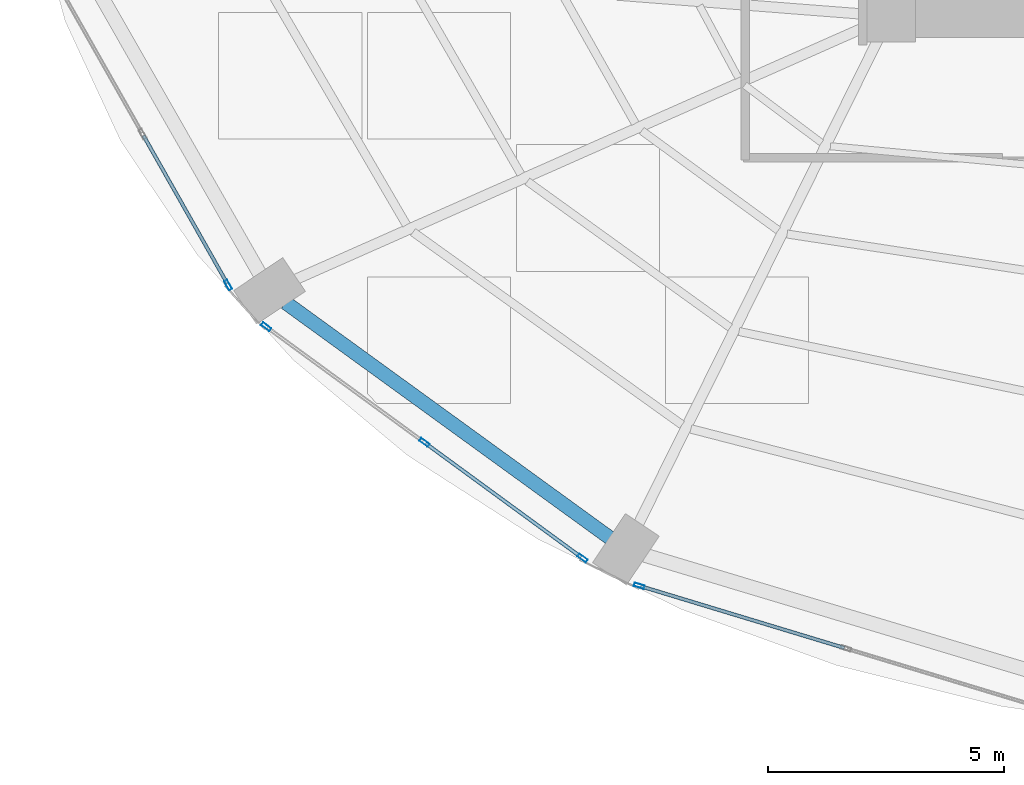
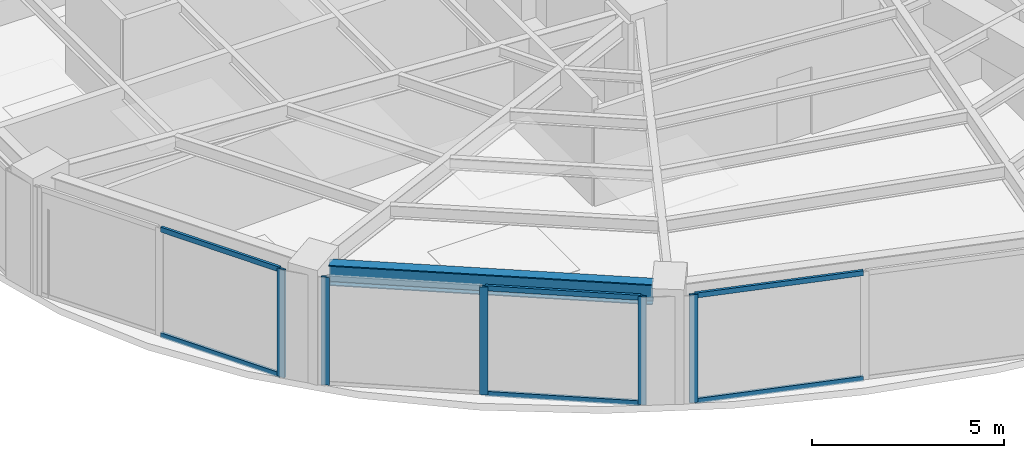
# One storey, part 2 of 24: 11 members, 1 beam, 3 elements without a shape of their own.
"""IFC4 building model written with IfcOpenShell, lengths in metres."""

from ifc_helpers import new_model, si_unit, direction, frame, origin, origin_2d, place, context, subcontext, project, spatial, hollow_rectangle, i_section, extrude, material, layer, layer_set, material_profile, profile_set, type_object, element, aggregate, save


model = new_model("IFC4")

# Units and contexts
model_context = context("Model", 3, precision=1e-05, world=origin(), true_north=direction((0.0, 1.0)))
body_context = subcontext(model_context, "Body", "Model", "MODEL_VIEW")
ifc_project = project(units=[si_unit("LENGTHUNIT", "METRE"), si_unit("AREAUNIT", "SQUARE_METRE"), si_unit("VOLUMEUNIT", "CUBIC_METRE"), si_unit("PLANEANGLEUNIT", "RADIAN"), si_unit("MASSUNIT", "GRAM", prefix="KILO")], contexts=[model_context])

# Site, building, storey
site_placement = place(None, origin())
site = spatial("IfcSite", under=ifc_project, at=site_placement, CompositionType="ELEMENT")
building_placement = place(site_placement, origin())
building = spatial("IfcBuilding", under=site, at=building_placement, Name="Lazwardi Medical Tower", CompositionType="ELEMENT")
storey_placement = place(building_placement, frame((0.0, 0.0, 39.7919921875)))
storey = spatial("IfcBuildingStorey", under=building, at=storey_placement, Name="L09", CompositionType="ELEMENT", Elevation=39.7919921875)

# Beam
ifc_material_1 = material(Name="Steel S355", Category="steel")
ifc_material_profile_1 = material_profile(ifc_material_1, i_section(OverallWidth=0.300048828125, OverallDepth=0.64990234375, WebThickness=0.01611328125, FlangeThickness=0.031005859375, at=origin_2d()), Name="HEB 650")
ifc_profile_set_1 = profile_set([ifc_material_profile_1], Name="Steel S355")
beam_type = type_object("IfcBeamType", Name="BM-RB-Z1", PredefinedType="BEAM", material=ifc_profile_set_1)
beam_placement = place(storey_placement, frame((13.6201171875, 14.339111328125, 3.10302734375), z_axis=(0.809407079515, -0.587247971159, 0.0), x_axis=(0.587247971159, 0.809407079515, 0.0)))
element("IfcBeam", 1, at=beam_placement, inside=storey, type_object=beam_type, Name="Ring beam RB-02 B14 L09", PredefinedType="BEAM", context=body_context, shape_type="SweptSolid", body=[
    extrude(i_section(OverallWidth=0.300048828125, OverallDepth=0.64990234375, WebThickness=0.01611328125, FlangeThickness=0.031005859375, at=origin_2d()), origin(), (0.0, 0.0, 1.0), 8.473876953125),
])

# Curtain wall, member
ifc_material_2 = material(Name="Anodised bronze aluminium and solar control glazing", Category="aluminium")
ifc_layer = layer(ifc_material_2, 0.199951171875)
ifc_layer_set = layer_set([ifc_layer], Name="Anodised bronze aluminium and solar control glazing")
curtain_wall_type = type_object("IfcCurtainWallType", Name="CW-SYS-02", PredefinedType="NOTDEFINED", material=ifc_layer_set)
curtain_wall_1_placement = place(storey_placement, origin())
curtain_wall_1 = element("IfcCurtainWall", 2, at=curtain_wall_1_placement, inside=storey, type_object=curtain_wall_type, Name="L09 Unitised bronze curtain wall CW-02", PredefinedType="NOTDEFINED")
ifc_material_3 = material(Name="Anodised bronze aluminium", Category="aluminium")
ifc_material_profile_2 = material_profile(ifc_material_3, hollow_rectangle(XDim=0.074951171875, YDim=0.219970703125, WallThickness=0.00390625, at=origin_2d()), Name="ALU-MULLION 220x75x4")
ifc_profile_set_2 = profile_set([ifc_material_profile_2], Name="Anodised bronze aluminium")
member_type_1 = type_object("IfcMemberType", Name="CW-MUL-01", PredefinedType="MULLION", material=ifc_profile_set_2)
member_1_placement = place(storey_placement, frame((12.4033203125, 14.71142578125, 0.0), z_axis=(0.0, 0.0, 1.0), x_axis=(0.870111838823, 0.492854327303, 0.0)))
member_1 = element("IfcMember", 3, at=member_1_placement, type_object=member_type_1, Name="CW-02 mullion 3", PredefinedType="MULLION", context=body_context, shape_type="SweptSolid", body=[
    extrude(hollow_rectangle(XDim=0.074951171875, YDim=0.219970703125, WallThickness=0.00390625, at=origin_2d()), origin(), (0.0, 0.0, 1.0), 3.427978515625),
])

# Curtain wall, members
curtain_wall_2_placement = place(storey_placement, origin())
curtain_wall_2 = element("IfcCurtainWall", 4, at=curtain_wall_2_placement, inside=storey, type_object=curtain_wall_type, Name="L09 Unitised bronze curtain wall CW-02", PredefinedType="NOTDEFINED")
member_2_placement = place(storey_placement, frame((13.209716796875, 13.827392578125, 0.0), z_axis=(0.0, 0.0, 1.0), x_axis=(0.590289307341, 0.807191757663, 0.0)))
member_2 = element("IfcMember", 5, at=member_2_placement, type_object=member_type_1, Name="CW-02 mullion 1", PredefinedType="MULLION", context=body_context, shape_type="SweptSolid", body=[
    extrude(hollow_rectangle(XDim=0.074951171875, YDim=0.219970703125, WallThickness=0.00390625, at=origin_2d()), origin(), (0.0, 0.0, 1.0), 3.427978515625),
])
member_3_placement = place(storey_placement, frame((16.5556640625, 11.380615234375, 0.0), z_axis=(0.0, 0.0, 1.0), x_axis=(0.590289307341, 0.807191757663, 0.0)))
member_3 = element("IfcMember", 6, at=member_3_placement, type_object=member_type_1, Name="CW-02 mullion 2", PredefinedType="MULLION", context=body_context, shape_type="SweptSolid", body=[
    extrude(hollow_rectangle(XDim=0.074951171875, YDim=0.219970703125, WallThickness=0.00390625, at=origin_2d()), origin(), (0.0, 0.0, 1.0), 3.427978515625),
])
member_4_placement = place(storey_placement, frame((19.9013671875, 8.933837890625, 0.0), z_axis=(0.0, 0.0, 1.0), x_axis=(0.590289307341, 0.807191757663, 0.0)))
member_4 = element("IfcMember", 7, at=member_4_placement, type_object=member_type_1, Name="CW-02 mullion 3", PredefinedType="MULLION", context=body_context, shape_type="SweptSolid", body=[
    extrude(hollow_rectangle(XDim=0.074951171875, YDim=0.219970703125, WallThickness=0.00390625, at=origin_2d()), origin(), (0.0, 0.0, 1.0), 3.427978515625),
])

# Curtain wall, member
curtain_wall_3_placement = place(storey_placement, origin())
curtain_wall_3 = element("IfcCurtainWall", 8, at=curtain_wall_3_placement, inside=storey, type_object=curtain_wall_type, Name="L09 Unitised bronze curtain wall CW-02", PredefinedType="NOTDEFINED")
member_5_placement = place(storey_placement, frame((21.1015625, 8.346923828125, 0.0), z_axis=(0.0, 0.0, 1.0), x_axis=(0.2898956909, 0.957058247129, 0.0)))
member_5 = element("IfcMember", 9, at=member_5_placement, type_object=member_type_1, Name="CW-02 mullion 1", PredefinedType="MULLION", context=body_context, shape_type="SweptSolid", body=[
    extrude(hollow_rectangle(XDim=0.074951171875, YDim=0.219970703125, WallThickness=0.00390625, at=origin_2d()), origin(), (0.0, 0.0, 1.0), 3.427978515625),
])

# Member
ifc_material_profile_3 = material_profile(ifc_material_3, hollow_rectangle(XDim=0.074951171875, YDim=0.159912109375, WallThickness=0.00390625, at=origin_2d()), Name="ALU-TRANSOM 160x75x4")
ifc_profile_set_3 = profile_set([ifc_material_profile_3], Name="Anodised bronze aluminium")
member_type_2 = type_object("IfcMemberType", Name="CW-TRN-01", PredefinedType="USERDEFINED", material=ifc_profile_set_3)
member_6_placement = place(storey_placement, frame((10.613037109375, 17.871826171875, 0.03759765625), z_axis=(0.492880614687, -0.870096948429, 0.0), x_axis=(0.870096948429, 0.492880614687, 0.0)))
member_6 = element("IfcMember", 10, at=member_6_placement, type_object=member_type_2, Name="CW-02 transom 2.1", ObjectType="TRANSOM", PredefinedType="USERDEFINED", context=body_context, shape_type="SweptSolid", body=[
    extrude(hollow_rectangle(XDim=0.074951171875, YDim=0.159912109375, WallThickness=0.00390625, at=origin_2d()), origin(), (0.0, 0.0, 1.0), 3.5947265625),
])

member_7_placement = place(storey_placement, frame((10.613037109375, 17.871826171875, 3.390625), z_axis=(0.492880614687, -0.870096948429, 0.0), x_axis=(0.870096948429, 0.492880614687, 0.0)))
member_7 = element("IfcMember", 11, at=member_7_placement, type_object=member_type_2, Name="CW-02 transom 2.2", ObjectType="TRANSOM", PredefinedType="USERDEFINED", context=body_context, shape_type="SweptSolid", body=[
    extrude(hollow_rectangle(XDim=0.074951171875, YDim=0.159912109375, WallThickness=0.00390625, at=origin_2d()), origin(), (0.0, 0.0, 1.0), 3.5947265625),
])

aggregate(curtain_wall_1, [member_1, member_6, member_7])

member_8_placement = place(storey_placement, frame((16.5859375, 11.358642578125, 0.03759765625), z_axis=(0.807169053975, -0.590320352271, 0.0), x_axis=(0.590320352271, 0.807169053975, 0.0)))
member_8 = element("IfcMember", 12, at=member_8_placement, type_object=member_type_2, Name="CW-02 transom 2.1", ObjectType="TRANSOM", PredefinedType="USERDEFINED", context=body_context, shape_type="SweptSolid", body=[
    extrude(hollow_rectangle(XDim=0.074951171875, YDim=0.159912109375, WallThickness=0.00390625, at=origin_2d()), origin(), (0.0, 0.0, 1.0), 4.070068359375),
])

member_9_placement = place(storey_placement, frame((16.5859375, 11.358642578125, 3.390625), z_axis=(0.807169053975, -0.590320352271, 0.0), x_axis=(0.590320352271, 0.807169053975, 0.0)))
member_9 = element("IfcMember", 13, at=member_9_placement, type_object=member_type_2, Name="CW-02 transom 2.2", ObjectType="TRANSOM", PredefinedType="USERDEFINED", context=body_context, shape_type="SweptSolid", body=[
    extrude(hollow_rectangle(XDim=0.074951171875, YDim=0.159912109375, WallThickness=0.00390625, at=origin_2d()), origin(), (0.0, 0.0, 1.0), 4.070068359375),
])

aggregate(curtain_wall_2, [member_2, member_3, member_4, member_8, member_9])

member_10_placement = place(storey_placement, frame((21.137451171875, 8.3359375, 0.03759765625), z_axis=(0.957062297904, -0.289882317383, 0.0), x_axis=(0.289882317383, 0.957062297904, 0.0)))
member_10 = element("IfcMember", 14, at=member_10_placement, type_object=member_type_2, Name="CW-02 transom 1.1", ObjectType="TRANSOM", PredefinedType="USERDEFINED", context=body_context, shape_type="SweptSolid", body=[
    extrude(hollow_rectangle(XDim=0.074951171875, YDim=0.159912109375, WallThickness=0.00390625, at=origin_2d()), origin(), (0.0, 0.0, 1.0), 4.49658203125),
])

member_11_placement = place(storey_placement, frame((21.137451171875, 8.3359375, 3.390625), z_axis=(0.957062297904, -0.289882317383, 0.0), x_axis=(0.289882317383, 0.957062297904, 0.0)))
member_11 = element("IfcMember", 15, at=member_11_placement, type_object=member_type_2, Name="CW-02 transom 1.2", ObjectType="TRANSOM", PredefinedType="USERDEFINED", context=body_context, shape_type="SweptSolid", body=[
    extrude(hollow_rectangle(XDim=0.074951171875, YDim=0.159912109375, WallThickness=0.00390625, at=origin_2d()), origin(), (0.0, 0.0, 1.0), 4.49658203125),
])

aggregate(curtain_wall_3, [member_5, member_10, member_11])

save(model, "model.ifc")
